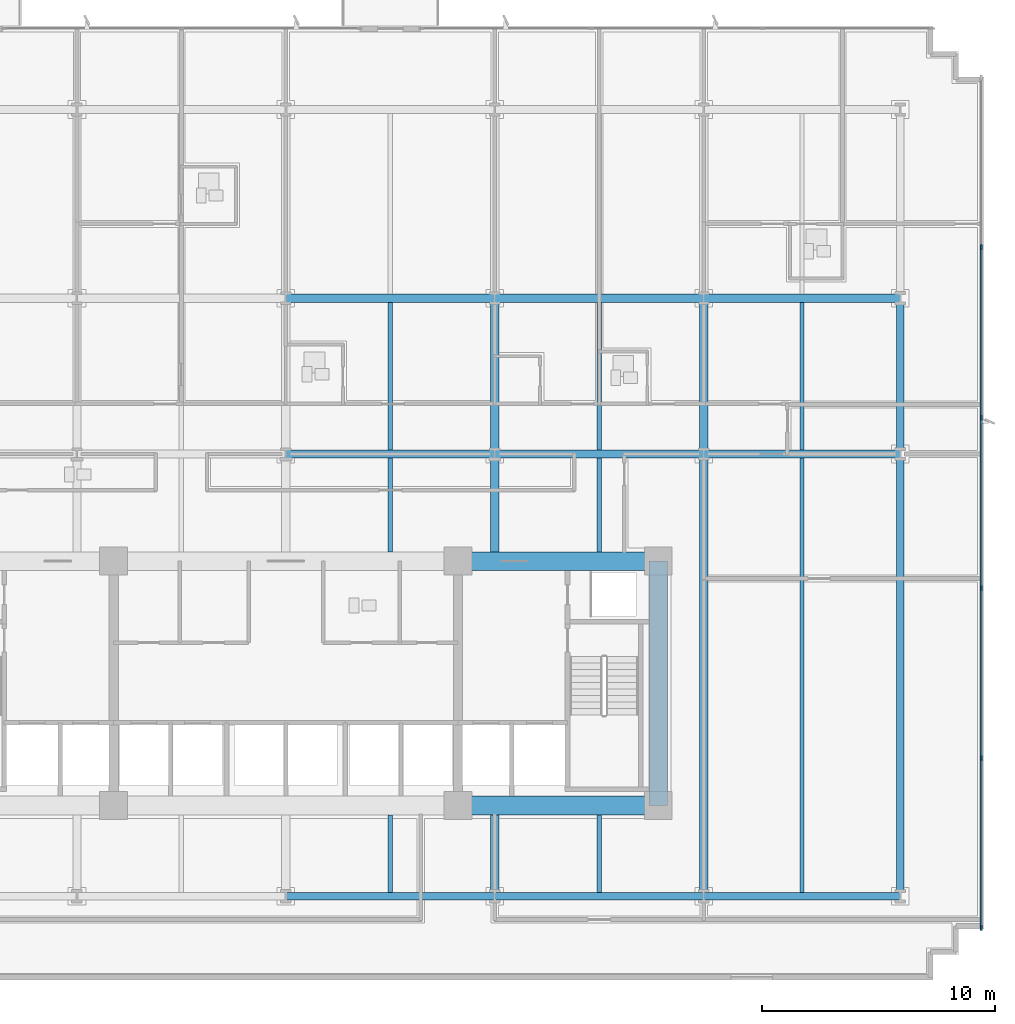
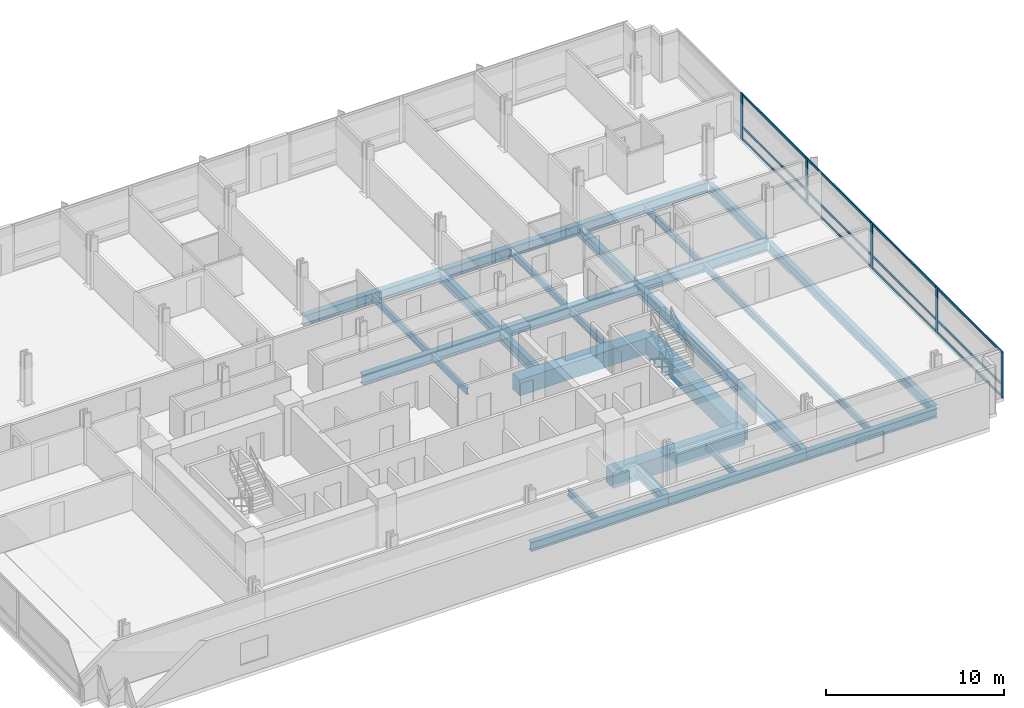
# One storey, part 4 of 17: 27 beams, 17 members, 1 element without a shape of its own.
"""IFC4 building model written with IfcOpenShell, lengths in metres."""

import ifcopenshell
import ifcopenshell.guid

model = None  # the IFC model being written
_history = None  # IfcOwnerHistory: only IFC2X3 demands one
_inside = {}  # id of a spatial element -> (the spatial element, [elements in it])
_under = {}  # id of a project, library or spatial element -> (it, [spatial elements below it])
_declared = {}  # id of a project -> (the project, [libraries it declares])
_typed = {}  # id of a type object -> (the type object, [elements of that type])
_made_of = {}  # id of a material, layer set ... -> (it, [elements and type objects made of it])


def new_model(schema):
    """Start an empty IFC model of exactly this schema.

    Asked for "IFC4X3", IfcOpenShell would pick the latest addendum, in which some entities
    have other attributes; the version numbers below select the first issue.
    IFC2X3 requires an IfcOwnerHistory on every rooted entity: one is made here for all.
    """
    global model, _history
    if schema == "IFC4X3":
        model = ifcopenshell.file(schema_version=(4, 3, 0, 0))
    else:
        model = ifcopenshell.file(schema=schema)
    _inside.clear()
    _under.clear()
    _declared.clear()
    _typed.clear()
    _made_of.clear()
    _history = None
    if model.schema == "IFC2X3":
        org = make("IfcOrganization", Name="unknown")
        user = make(
            "IfcPersonAndOrganization",
            ThePerson=make("IfcPerson", FamilyName="unknown"),
            TheOrganization=org,
        )
        app = make(
            "IfcApplication",
            ApplicationDeveloper=org,
            Version="unknown",
            ApplicationFullName="unknown",
            ApplicationIdentifier="unknown",
        )
        _history = make(
            "IfcOwnerHistory",
            OwningUser=user,
            OwningApplication=app,
            ChangeAction="ADDED",
            CreationDate=0,
        )
    return model


def make(cls, **values):
    """One entity of the class cls with the attributes given. An attribute that is None is left unset."""
    return model.create_entity(
        cls, **{name: value for name, value in values.items() if value is not None}
    )


def rooted(cls, **values):
    """An entity with a GlobalId (a new one), such as an element, a storey or a relation."""
    return make(cls, GlobalId=ifcopenshell.guid.new(), OwnerHistory=_history, **values)


def si_unit(unit_type, name, prefix=None):
    """IfcSIUnit, for example si_unit("LENGTHUNIT", "METRE", prefix="MILLI")."""
    return make("IfcSIUnit", UnitType=unit_type, Prefix=prefix, Name=name)


def assignment(units):
    """IfcUnitAssignment: the units of a project."""
    return None if units is None else make("IfcUnitAssignment", Units=units)


def point(xyz):
    """IfcCartesianPoint."""
    return None if xyz is None else make("IfcCartesianPoint", Coordinates=xyz)


def direction(xyz):
    """IfcDirection."""
    return None if xyz is None else make("IfcDirection", DirectionRatios=xyz)


def frame(location, z_axis=None, x_axis=None):
    """IfcAxis2Placement3D, a coordinate frame: its origin and axes. An axis left out is left unset."""
    return make(
        "IfcAxis2Placement3D",
        Location=point(location),
        Axis=direction(z_axis),
        RefDirection=direction(x_axis),
    )


def frame_2d(location, x_axis=None):
    """IfcAxis2Placement2D, a coordinate frame in the plane: its origin and x axis."""
    return make(
        "IfcAxis2Placement2D", Location=point(location), RefDirection=direction(x_axis)
    )


def origin():
    """The frame at (0, 0, 0) with its axes left unset."""
    return frame((0.0, 0.0, 0.0))


def origin_2d():
    """The frame at (0, 0) in the plane with its x axis left unset."""
    return frame_2d((0.0, 0.0))


def place(relative_to, where):
    """IfcLocalPlacement: puts the frame where relative to a parent placement (None: the world)."""
    return make(
        "IfcLocalPlacement", PlacementRelTo=relative_to, RelativePlacement=where
    )


def context(
    kind, dimensions, precision=None, world=None, true_north=None, identifier=None
):
    """IfcGeometricRepresentationContext, for example the 3D "Model" context."""
    return make(
        "IfcGeometricRepresentationContext",
        ContextIdentifier=identifier,
        ContextType=kind,
        CoordinateSpaceDimension=dimensions,
        Precision=precision,
        WorldCoordinateSystem=world,
        TrueNorth=true_north,
    )


def subcontext(parent, identifier, kind, view, scale=None):
    """IfcGeometricRepresentationSubContext, for example "Body" below "Model"."""
    return make(
        "IfcGeometricRepresentationSubContext",
        ContextIdentifier=identifier,
        ContextType=kind,
        ParentContext=parent,
        TargetScale=scale,
        TargetView=view,
    )


def project(units=None, contexts=None):
    """IfcProject with its units and contexts."""
    return rooted(
        "IfcProject",
        Name="project",
        RepresentationContexts=contexts,
        UnitsInContext=assignment(units),
    )


def spatial(cls, under=None, at=None, **own):
    """A site, building, storey or space (cls), placed at a placement, below another one or the project."""
    s = rooted(cls, ObjectPlacement=at, **own)
    if under is not None:
        _under.setdefault(under.id(), (under, []))[1].append(s)
    return s


def profile(cls, at=None, kind="AREA", **sizes):
    """A parametric profile (cls). Its sizes go by their IFC names, for example OverallWidth=200.0."""
    return make(cls, ProfileType=kind, Position=at, **sizes)


def rectangle(**sizes):
    """IfcRectangleProfileDef."""
    return profile("IfcRectangleProfileDef", **sizes)


def i_section(**sizes):
    """IfcIShapeProfileDef."""
    return profile("IfcIShapeProfileDef", **sizes)


def extrude(swept, where, along, depth):
    """IfcExtrudedAreaSolid: the profile swept, set in the frame where, extruded along a direction by depth."""
    return make(
        "IfcExtrudedAreaSolid",
        SweptArea=swept,
        Position=where,
        ExtrudedDirection=direction(along),
        Depth=depth,
    )


def shape(context_of_items, identifier, shape_type, items):
    """IfcShapeRepresentation: the items that make up one representation, for example the "Body"."""
    return make(
        "IfcShapeRepresentation",
        ContextOfItems=context_of_items,
        RepresentationIdentifier=identifier,
        RepresentationType=shape_type,
        Items=items,
    )


def material(Name=None, Category=None):
    """IfcMaterial."""
    return make("IfcMaterial", Name=Name, Category=Category)


def material_profile(
    of_material, cross_section, Name=None, Category=None, Priority=None
):
    """IfcMaterialProfile: a cross section and its material."""
    return make(
        "IfcMaterialProfile",
        Name=Name,
        Material=of_material,
        Profile=cross_section,
        Priority=Priority,
        Category=Category,
    )


def profile_set(profiles, Name=None, composite=None):
    """IfcMaterialProfileSet."""
    return make(
        "IfcMaterialProfileSet",
        Name=Name,
        MaterialProfiles=profiles,
        CompositeProfile=composite,
    )


def made_of(thing, what):
    """Note that an element or type object is made of a material, layer set ...; save() writes the relation."""
    if what is not None:
        _made_of.setdefault(what.id(), (what, []))[1].append(thing)
    return thing


def type_object(cls, material=None, **own):
    """A type object (cls), such as IfcWallType, which elements share."""
    return made_of(rooted(cls, **own), material)


def element(
    cls,
    number,
    at=None,
    inside=None,
    cuts=None,
    type_object=None,
    material=None,
    context=None,
    identifier="Body",
    shape_type=None,
    held_by="IfcProductDefinitionShape",
    body=None,
    shapes=None,
    **own,
):
    """One element of the class cls, such as IfcWall. Its Tag is "e" and its number.

    at: its placement. inside: the storey or other place that contains it. cuts: it is an
    opening in that element (IfcRelVoidsElement). A single representation is given by context,
    identifier, shape_type and body (its items); several are given by shapes. held_by: the class
    of the entity that holds the representations. save() writes the other relations.
    """
    e = rooted(cls, Tag="e%d" % number, ObjectPlacement=at, **own)
    if body is not None:
        shapes = [shape(context, identifier, shape_type, body)]
    if shapes is not None:
        e.Representation = make(held_by, Representations=shapes)
    if inside is not None:
        _inside.setdefault(inside.id(), (inside, []))[1].append(e)
    if cuts is not None:
        rooted(
            "IfcRelVoidsElement", RelatingBuildingElement=cuts, RelatedOpeningElement=e
        )
    if type_object is not None:
        _typed.setdefault(type_object.id(), (type_object, []))[1].append(e)
    return made_of(e, material)


def aggregate(whole, parts):
    """IfcRelAggregates: a whole, such as a stair, and the parts it consists of."""
    return rooted("IfcRelAggregates", RelatingObject=whole, RelatedObjects=parts)


def save(model, path):
    """Write the relations noted so far, then the file.

    IfcRelAggregates (storeys below a building ...), IfcRelContainedInSpatialStructure (elements
    in a storey), IfcRelDefinesByType, IfcRelAssociatesMaterial and IfcRelDeclares: one each for
    every whole, place, type object, material and project.
    """
    for whole, parts in _under.values():
        aggregate(whole, parts)
    for where, things in _inside.values():
        rooted(
            "IfcRelContainedInSpatialStructure",
            RelatedElements=things,
            RelatingStructure=where,
        )
    for kind, things in _typed.values():
        rooted("IfcRelDefinesByType", RelatedObjects=things, RelatingType=kind)
    for what, things in _made_of.values():
        rooted("IfcRelAssociatesMaterial", RelatedObjects=things, RelatingMaterial=what)
    for by, libraries in _declared.values():
        rooted("IfcRelDeclares", RelatingContext=by, RelatedDefinitions=libraries)
    model.write(path)


model = new_model("IFC4")

# Units and contexts
model_context = context("Model", 3, precision=1e-05, world=origin(), true_north=direction((0.0, 1.0)))
body_context = subcontext(model_context, "Body", "Model", "MODEL_VIEW")
ifc_project = project(units=[si_unit("LENGTHUNIT", "METRE"), si_unit("AREAUNIT", "SQUARE_METRE"), si_unit("VOLUMEUNIT", "CUBIC_METRE"), si_unit("PLANEANGLEUNIT", "RADIAN"), si_unit("MASSUNIT", "GRAM", prefix="KILO")], contexts=[model_context])

# Site, building, storey
site_placement = place(None, origin())
site = spatial("IfcSite", under=ifc_project, at=site_placement, CompositionType="ELEMENT")
building_placement = place(site_placement, origin())
building = spatial("IfcBuilding", under=site, at=building_placement, Name="Solmavex Isthmus Hotel", CompositionType="ELEMENT")
storey_placement = place(building_placement, frame((0.0, 0.0, 40.199951171875)))
storey = spatial("IfcBuildingStorey", under=building, at=storey_placement, Name="L10", CompositionType="ELEMENT", Elevation=40.199951171875)

# Beams
ifc_material_1 = material(Name="Steel ASTM A992 Grade 50", Category="steel")
ifc_material_profile_1 = material_profile(ifc_material_1, i_section(OverallWidth=0.354736328125, OverallDepth=0.695556640625, WebThickness=0.015380859375, FlangeThickness=0.02490234375, FilletRadius=0.017822265625, at=origin_2d()), Name="W27X146")
ifc_profile_set_1 = profile_set([ifc_material_profile_1], Name="Steel ASTM A992 Grade 50")
beam_type_1 = type_object("IfcBeamType", Name="BM-BG-W27X146", PredefinedType="BEAM", material=ifc_profile_set_1)
beam_1_placement = place(storey_placement, frame((0.0, 2.10009765625, -0.607666015625), z_axis=(1.0, 0.0, 0.0), x_axis=(0.0, 1.0, 0.0)))
element("IfcBeam", 1, at=beam_1_placement, inside=storey, type_object=beam_type_1, Name="Floor Girder L10-UG10", PredefinedType="BEAM", context=body_context, shape_type="SweptSolid", body=[
    extrude(i_section(OverallWidth=0.354736328125, OverallDepth=0.695556640625, WebThickness=0.015380859375, FlangeThickness=0.02490234375, FilletRadius=0.017822265625, at=origin_2d()), origin(), (0.0, 0.0, 1.0), 8.97607421875),
])
beam_2_placement = place(storey_placement, frame((8.97607421875, 2.10009765625, -0.607666015625), z_axis=(1.0, 0.0, 0.0), x_axis=(0.0, 1.0, 0.0)))
element("IfcBeam", 2, at=beam_2_placement, inside=storey, type_object=beam_type_1, Name="Floor Girder L10-UG11", PredefinedType="BEAM", context=body_context, shape_type="SweptSolid", body=[
    extrude(i_section(OverallWidth=0.354736328125, OverallDepth=0.695556640625, WebThickness=0.015380859375, FlangeThickness=0.02490234375, FilletRadius=0.017822265625, at=origin_2d()), origin(), (0.0, 0.0, 1.0), 8.975830078125),
])
beam_3_placement = place(storey_placement, frame((17.951904296875, 2.10009765625, -0.607666015625), z_axis=(1.0, 0.0, 0.0), x_axis=(0.0, 1.0, 0.0)))
element("IfcBeam", 3, at=beam_3_placement, inside=storey, type_object=beam_type_1, Name="Floor Girder L10-UG12", PredefinedType="BEAM", context=body_context, shape_type="SweptSolid", body=[
    extrude(i_section(OverallWidth=0.354736328125, OverallDepth=0.695556640625, WebThickness=0.015380859375, FlangeThickness=0.02490234375, FilletRadius=0.017822265625, at=origin_2d()), origin(), (0.0, 0.0, 1.0), 8.447998046875),
])
beam_4_placement = place(storey_placement, frame((0.0, 8.7880859375, -0.607666015625), z_axis=(1.0, 0.0, 0.0), x_axis=(0.0, 1.0, 0.0)))
element("IfcBeam", 4, at=beam_4_placement, inside=storey, type_object=beam_type_1, Name="Floor Girder L10-UG16", PredefinedType="BEAM", context=body_context, shape_type="SweptSolid", body=[
    extrude(i_section(OverallWidth=0.354736328125, OverallDepth=0.695556640625, WebThickness=0.015380859375, FlangeThickness=0.02490234375, FilletRadius=0.017822265625, at=origin_2d()), origin(), (0.0, 0.0, 1.0), 8.97607421875),
])
beam_5_placement = place(storey_placement, frame((8.97607421875, 8.7880859375, -0.607666015625), z_axis=(1.0, 0.0, 0.0), x_axis=(0.0, 1.0, 0.0)))
element("IfcBeam", 5, at=beam_5_placement, inside=storey, type_object=beam_type_1, Name="Floor Girder L10-UG17", PredefinedType="BEAM", context=body_context, shape_type="SweptSolid", body=[
    extrude(i_section(OverallWidth=0.354736328125, OverallDepth=0.695556640625, WebThickness=0.015380859375, FlangeThickness=0.02490234375, FilletRadius=0.017822265625, at=origin_2d()), origin(), (0.0, 0.0, 1.0), 8.975830078125),
])
beam_6_placement = place(storey_placement, frame((17.951904296875, 8.7880859375, -0.607666015625), z_axis=(1.0, 0.0, 0.0), x_axis=(0.0, 1.0, 0.0)))
element("IfcBeam", 6, at=beam_6_placement, inside=storey, type_object=beam_type_1, Name="Floor Girder L10-UG18", PredefinedType="BEAM", context=body_context, shape_type="SweptSolid", body=[
    extrude(i_section(OverallWidth=0.354736328125, OverallDepth=0.695556640625, WebThickness=0.015380859375, FlangeThickness=0.02490234375, FilletRadius=0.017822265625, at=origin_2d()), origin(), (0.0, 0.0, 1.0), 8.447998046875),
])
beam_7_placement = place(storey_placement, frame((8.97607421875, -16.73681640625, -0.607666015625), z_axis=(0.0, 1.0, 0.0), x_axis=(-1.0, 0.0, 0.0)))
element("IfcBeam", 7, at=beam_7_placement, inside=storey, type_object=beam_type_1, Name="Floor Beam L10-VG39", PredefinedType="BEAM", context=body_context, shape_type="SweptSolid", body=[
    extrude(i_section(OverallWidth=0.354736328125, OverallDepth=0.695556640625, WebThickness=0.015380859375, FlangeThickness=0.02490234375, FilletRadius=0.017822265625, at=origin_2d()), origin(), (0.0, 0.0, 1.0), 3.3369140625),
])
beam_8_placement = place(storey_placement, frame((8.97607421875, -2.10009765625, -0.607666015625), z_axis=(0.0, 1.0, 0.0), x_axis=(-1.0, 0.0, 0.0)))
element("IfcBeam", 8, at=beam_8_placement, inside=storey, type_object=beam_type_1, Name="Floor Beam L10-VG40", PredefinedType="BEAM", context=body_context, shape_type="SweptSolid", body=[
    extrude(i_section(OverallWidth=0.354736328125, OverallDepth=0.695556640625, WebThickness=0.015380859375, FlangeThickness=0.02490234375, FilletRadius=0.017822265625, at=origin_2d()), origin(), (0.0, 0.0, 1.0), 4.022705078125),
])
beam_9_placement = place(storey_placement, frame((8.97607421875, 2.27734375, -0.607666015625), z_axis=(0.0, 1.0, 0.0), x_axis=(-1.0, 0.0, 0.0)))
element("IfcBeam", 9, at=beam_9_placement, inside=storey, type_object=beam_type_1, Name="Floor Beam L10-VG41", PredefinedType="BEAM", context=body_context, shape_type="SweptSolid", body=[
    extrude(i_section(OverallWidth=0.354736328125, OverallDepth=0.695556640625, WebThickness=0.015380859375, FlangeThickness=0.02490234375, FilletRadius=0.017822265625, at=origin_2d()), origin(), (0.0, 0.0, 1.0), 6.333251953125),
])
beam_10_placement = place(storey_placement, frame((17.951904296875, -16.73681640625, -0.607666015625), z_axis=(0.0, 1.0, 0.0), x_axis=(-1.0, 0.0, 0.0)))
element("IfcBeam", 10, at=beam_10_placement, inside=storey, type_object=beam_type_1, Name="Floor Beam L10-VG43", PredefinedType="BEAM", context=body_context, shape_type="SweptSolid", body=[
    extrude(i_section(OverallWidth=0.354736328125, OverallDepth=0.695556640625, WebThickness=0.015380859375, FlangeThickness=0.02490234375, FilletRadius=0.017822265625, at=origin_2d()), origin(), (0.0, 0.0, 1.0), 18.659423828125),
])
beam_11_placement = place(storey_placement, frame((17.951904296875, 2.27734375, -0.607666015625), z_axis=(0.0, 1.0, 0.0), x_axis=(-1.0, 0.0, 0.0)))
element("IfcBeam", 11, at=beam_11_placement, inside=storey, type_object=beam_type_1, Name="Floor Beam L10-VG44", PredefinedType="BEAM", context=body_context, shape_type="SweptSolid", body=[
    extrude(i_section(OverallWidth=0.354736328125, OverallDepth=0.695556640625, WebThickness=0.015380859375, FlangeThickness=0.02490234375, FilletRadius=0.017822265625, at=origin_2d()), origin(), (0.0, 0.0, 1.0), 6.333251953125),
])
ifc_material_profile_2 = material_profile(ifc_material_1, i_section(OverallWidth=0.1904296875, OverallDepth=0.456787109375, WebThickness=0.009033203125, FlangeThickness=0.014404296875, FilletRadius=0.0126953125, at=origin_2d()), Name="W18X50")
ifc_profile_set_2 = profile_set([ifc_material_profile_2], Name="Steel ASTM A992 Grade 50")
beam_type_2 = type_object("IfcBeamType", Name="BM-BJ-W18X50", PredefinedType="JOIST", material=ifc_profile_set_2)
beam_12_placement = place(storey_placement, frame((4.488037109375, -16.73681640625, -0.48828125), z_axis=(0.0, 1.0, 0.0), x_axis=(-1.0, 0.0, 0.0)))
element("IfcBeam", 12, at=beam_12_placement, inside=storey, type_object=beam_type_2, Name="Secondary Floor Joist L10-J12", PredefinedType="JOIST", context=body_context, shape_type="SweptSolid", body=[
    extrude(i_section(OverallWidth=0.1904296875, OverallDepth=0.456787109375, WebThickness=0.009033203125, FlangeThickness=0.014404296875, FilletRadius=0.0126953125, at=origin_2d()), origin(), (0.0, 0.0, 1.0), 3.3369140625),
])
beam_13_placement = place(storey_placement, frame((4.488037109375, -2.10009765625, -0.48828125), z_axis=(0.0, 1.0, 0.0), x_axis=(-1.0, 0.0, 0.0)))
element("IfcBeam", 13, at=beam_13_placement, inside=storey, type_object=beam_type_2, Name="Secondary Floor Joist L10-J13", PredefinedType="JOIST", context=body_context, shape_type="SweptSolid", body=[
    extrude(i_section(OverallWidth=0.1904296875, OverallDepth=0.456787109375, WebThickness=0.009033203125, FlangeThickness=0.014404296875, FilletRadius=0.0126953125, at=origin_2d()), origin(), (0.0, 0.0, 1.0), 4.022705078125),
])
beam_14_placement = place(storey_placement, frame((4.488037109375, 2.27734375, -0.48828125), z_axis=(0.0, 1.0, 0.0), x_axis=(-1.0, 0.0, 0.0)))
element("IfcBeam", 14, at=beam_14_placement, inside=storey, type_object=beam_type_2, Name="Secondary Floor Joist L10-J14", PredefinedType="JOIST", context=body_context, shape_type="SweptSolid", body=[
    extrude(i_section(OverallWidth=0.1904296875, OverallDepth=0.456787109375, WebThickness=0.009033203125, FlangeThickness=0.014404296875, FilletRadius=0.0126953125, at=origin_2d()), origin(), (0.0, 0.0, 1.0), 6.333251953125),
])
beam_15_placement = place(storey_placement, frame((13.464111328125, -16.73681640625, -0.48828125), z_axis=(0.0, 1.0, 0.0), x_axis=(-1.0, 0.0, 0.0)))
element("IfcBeam", 15, at=beam_15_placement, inside=storey, type_object=beam_type_2, Name="Secondary Floor Joist L10-J16", PredefinedType="JOIST", context=body_context, shape_type="SweptSolid", body=[
    extrude(i_section(OverallWidth=0.1904296875, OverallDepth=0.456787109375, WebThickness=0.009033203125, FlangeThickness=0.014404296875, FilletRadius=0.0126953125, at=origin_2d()), origin(), (0.0, 0.0, 1.0), 3.3369140625),
])
beam_16_placement = place(storey_placement, frame((13.464111328125, -2.10009765625, -0.48828125), z_axis=(0.0, 1.0, 0.0), x_axis=(-1.0, 0.0, 0.0)))
element("IfcBeam", 16, at=beam_16_placement, inside=storey, type_object=beam_type_2, Name="Secondary Floor Joist L10-J17", PredefinedType="JOIST", context=body_context, shape_type="SweptSolid", body=[
    extrude(i_section(OverallWidth=0.1904296875, OverallDepth=0.456787109375, WebThickness=0.009033203125, FlangeThickness=0.014404296875, FilletRadius=0.0126953125, at=origin_2d()), origin(), (0.0, 0.0, 1.0), 4.022705078125),
])
beam_17_placement = place(storey_placement, frame((13.464111328125, 2.27734375, -0.48828125), z_axis=(0.0, 1.0, 0.0), x_axis=(-1.0, 0.0, 0.0)))
element("IfcBeam", 17, at=beam_17_placement, inside=storey, type_object=beam_type_2, Name="Secondary Floor Joist L10-J18", PredefinedType="JOIST", context=body_context, shape_type="SweptSolid", body=[
    extrude(i_section(OverallWidth=0.1904296875, OverallDepth=0.456787109375, WebThickness=0.009033203125, FlangeThickness=0.014404296875, FilletRadius=0.0126953125, at=origin_2d()), origin(), (0.0, 0.0, 1.0), 6.333251953125),
])
beam_18_placement = place(storey_placement, frame((22.176025390625, -16.73681640625, -0.48828125), z_axis=(0.0, 1.0, 0.0), x_axis=(-1.0, 0.0, 0.0)))
element("IfcBeam", 18, at=beam_18_placement, inside=storey, type_object=beam_type_2, Name="Secondary Floor Joist L10-J20", PredefinedType="JOIST", context=body_context, shape_type="SweptSolid", body=[
    extrude(i_section(OverallWidth=0.1904296875, OverallDepth=0.456787109375, WebThickness=0.009033203125, FlangeThickness=0.014404296875, FilletRadius=0.0126953125, at=origin_2d()), origin(), (0.0, 0.0, 1.0), 18.659423828125),
])
beam_19_placement = place(storey_placement, frame((22.176025390625, 2.27734375, -0.48828125), z_axis=(0.0, 1.0, 0.0), x_axis=(-1.0, 0.0, 0.0)))
element("IfcBeam", 19, at=beam_19_placement, inside=storey, type_object=beam_type_2, Name="Secondary Floor Joist L10-J21", PredefinedType="JOIST", context=body_context, shape_type="SweptSolid", body=[
    extrude(i_section(OverallWidth=0.1904296875, OverallDepth=0.456787109375, WebThickness=0.009033203125, FlangeThickness=0.014404296875, FilletRadius=0.0126953125, at=origin_2d()), origin(), (0.0, 0.0, 1.0), 6.333251953125),
])
ifc_material_2 = material(Name="Concrete C70/85", Category="concrete")
ifc_material_profile_3 = material_profile(ifc_material_2, rectangle(XDim=0.800048828125, YDim=1.10009765625, at=origin_2d()), Name="RC800X1100")
ifc_profile_set_3 = profile_set([ifc_material_profile_3], Name="Concrete C70/85")
beam_type_3 = type_object("IfcBeamType", Name="BM-CB-800X1100", PredefinedType="BEAM", material=ifc_profile_set_3)
for number, where, z_axis, x_axis, name in (
    (20, (7.39990234375, -13.0, -0.81005859375), (1.0, 0.0, 0.0), (0.0, 1.0, 0.0), "Core Coupling Beam L10-CB3"),
    (21, (7.39990234375, -2.5, -0.81005859375), (1.0, 0.0, 0.0), (0.0, 1.0, 0.0), "Core Coupling Beam L10-CB6"),
):
    element("IfcBeam", number, at=place(storey_placement, frame(where, z_axis=z_axis, x_axis=x_axis)), inside=storey, type_object=beam_type_3, Name=name, PredefinedType="BEAM", context=body_context, shape_type="SweptSolid", body=[
        extrude(rectangle(XDim=0.800048828125, YDim=1.10009765625, at=origin_2d()), origin(), (0.0, 0.0, 1.0), 8.60009765625),
    ])
beam_20_placement = place(storey_placement, frame((16.0, -13.0, -0.81005859375), z_axis=(0.0, 1.0, 0.0), x_axis=(-1.0, 0.0, 0.0)))
element("IfcBeam", 22, at=beam_20_placement, inside=storey, type_object=beam_type_3, Name="Core Coupling Beam L10-CB8", PredefinedType="BEAM", context=body_context, shape_type="SweptSolid", body=[
    extrude(rectangle(XDim=0.800048828125, YDim=1.10009765625, at=origin_2d()), origin(), (0.0, 0.0, 1.0), 10.5),
])
ifc_material_profile_4 = material_profile(ifc_material_1, i_section(OverallWidth=0.326416015625, OverallDepth=0.621826171875, WebThickness=0.015380859375, FlangeThickness=0.0244140625, FilletRadius=0.01513671875, at=origin_2d()), Name="W24X131")
ifc_profile_set_4 = profile_set([ifc_material_profile_4], Name="Steel ASTM A992 Grade 50")
beam_type_4 = type_object("IfcBeamType", Name="BM-SP-W24X131", PredefinedType="SPANDREL", material=ifc_profile_set_4)
beam_21_placement = place(storey_placement, frame((0.0, -16.89990234375, -0.57080078125), z_axis=(1.0, 0.0, 0.0), x_axis=(0.0, 1.0, 0.0)))
element("IfcBeam", 23, at=beam_21_placement, inside=storey, type_object=beam_type_4, Name="Floor Girder L10-UG04", PredefinedType="SPANDREL", context=body_context, shape_type="SweptSolid", body=[
    extrude(i_section(OverallWidth=0.326416015625, OverallDepth=0.621826171875, WebThickness=0.015380859375, FlangeThickness=0.0244140625, FilletRadius=0.01513671875, at=origin_2d()), origin(), (0.0, 0.0, 1.0), 8.97607421875),
])
beam_22_placement = place(storey_placement, frame((8.97607421875, -16.89990234375, -0.57080078125), z_axis=(1.0, 0.0, 0.0), x_axis=(0.0, 1.0, 0.0)))
element("IfcBeam", 24, at=beam_22_placement, inside=storey, type_object=beam_type_4, Name="Floor Girder L10-UG05", PredefinedType="SPANDREL", context=body_context, shape_type="SweptSolid", body=[
    extrude(i_section(OverallWidth=0.326416015625, OverallDepth=0.621826171875, WebThickness=0.015380859375, FlangeThickness=0.0244140625, FilletRadius=0.01513671875, at=origin_2d()), origin(), (0.0, 0.0, 1.0), 8.975830078125),
])
beam_23_placement = place(storey_placement, frame((17.951904296875, -16.89990234375, -0.57080078125), z_axis=(1.0, 0.0, 0.0), x_axis=(0.0, 1.0, 0.0)))
element("IfcBeam", 25, at=beam_23_placement, inside=storey, type_object=beam_type_4, Name="Floor Girder L10-UG06", PredefinedType="SPANDREL", context=body_context, shape_type="SweptSolid", body=[
    extrude(i_section(OverallWidth=0.326416015625, OverallDepth=0.621826171875, WebThickness=0.015380859375, FlangeThickness=0.0244140625, FilletRadius=0.01513671875, at=origin_2d()), origin(), (0.0, 0.0, 1.0), 8.447998046875),
])
beam_24_placement = place(storey_placement, frame((26.39990234375, -16.73681640625, -0.57080078125), z_axis=(0.0, 1.0, 0.0), x_axis=(-1.0, 0.0, 0.0)))
element("IfcBeam", 26, at=beam_24_placement, inside=storey, type_object=beam_type_4, Name="Floor Beam L10-VG46", PredefinedType="SPANDREL", context=body_context, shape_type="SweptSolid", body=[
    extrude(i_section(OverallWidth=0.326416015625, OverallDepth=0.621826171875, WebThickness=0.015380859375, FlangeThickness=0.0244140625, FilletRadius=0.01513671875, at=origin_2d()), origin(), (0.0, 0.0, 1.0), 18.659423828125),
])
beam_25_placement = place(storey_placement, frame((26.39990234375, 2.27734375, -0.57080078125), z_axis=(0.0, 1.0, 0.0), x_axis=(-1.0, 0.0, 0.0)))
element("IfcBeam", 27, at=beam_25_placement, inside=storey, type_object=beam_type_4, Name="Floor Beam L10-VG47", PredefinedType="SPANDREL", context=body_context, shape_type="SweptSolid", body=[
    extrude(i_section(OverallWidth=0.326416015625, OverallDepth=0.621826171875, WebThickness=0.015380859375, FlangeThickness=0.0244140625, FilletRadius=0.01513671875, at=origin_2d()), origin(), (0.0, 0.0, 1.0), 6.333251953125),
])

# Curtain wall, members
ifc_material_3 = material(Name="Aluminium alloy 6063-T6", Category="aluminium")
curtain_wall_type = type_object("IfcCurtainWallType", Name="CW-SYS-02", PredefinedType="NOTDEFINED", material=ifc_material_3)
curtain_wall_placement = place(storey_placement, origin())
curtain_wall = element("IfcCurtainWall", 28, at=curtain_wall_placement, inside=storey, type_object=curtain_wall_type, Name="Stick Curtain Wall CWL-L10-E1", PredefinedType="NOTDEFINED")
ifc_material_profile_5 = material_profile(ifc_material_3, rectangle(XDim=0.074951171875, YDim=0.219970703125, at=origin_2d()), Name="CWM-75X220")
ifc_profile_set_5 = profile_set([ifc_material_profile_5], Name="Aluminium alloy 6063-T6")
member_type_1 = type_object("IfcMemberType", Name="CW-SYS-02-MUL", PredefinedType="MULLION", material=ifc_profile_set_5)
member_1_placement = place(storey_placement, frame((29.8798828125, -18.262451171875, 0.0), z_axis=(0.0, 0.0, 1.0), x_axis=(-1.0, 0.0, 0.0)))
member_1 = element("IfcMember", 29, at=member_1_placement, type_object=member_type_1, Name="CW-02 mullion 1", PredefinedType="MULLION", context=body_context, shape_type="SweptSolid", body=[
    extrude(rectangle(XDim=0.074951171875, YDim=0.219970703125, at=origin_2d()), origin(), (0.0, 0.0, 1.0), 3.18994140625),
])
member_2_placement = place(storey_placement, frame((29.8798828125, -10.97998046875, 0.0), z_axis=(0.0, 0.0, 1.0), x_axis=(-1.0, 0.0, 0.0)))
member_2 = element("IfcMember", 30, at=member_2_placement, type_object=member_type_1, Name="CW-02 mullion 2", PredefinedType="MULLION", context=body_context, shape_type="SweptSolid", body=[
    extrude(rectangle(XDim=0.074951171875, YDim=0.219970703125, at=origin_2d()), origin(), (0.0, 0.0, 1.0), 3.18994140625),
])
member_3_placement = place(storey_placement, frame((29.8798828125, -3.659912109375, 0.0), z_axis=(0.0, 0.0, 1.0), x_axis=(-1.0, 0.0, 0.0)))
member_3 = element("IfcMember", 31, at=member_3_placement, type_object=member_type_1, Name="CW-02 mullion 3", PredefinedType="MULLION", context=body_context, shape_type="SweptSolid", body=[
    extrude(rectangle(XDim=0.074951171875, YDim=0.219970703125, at=origin_2d()), origin(), (0.0, 0.0, 1.0), 3.18994140625),
])
member_4_placement = place(storey_placement, frame((29.8798828125, 3.659912109375, 0.0), z_axis=(0.0, 0.0, 1.0), x_axis=(-1.0, 0.0, 0.0)))
member_4 = element("IfcMember", 32, at=member_4_placement, type_object=member_type_1, Name="CW-02 mullion 4", PredefinedType="MULLION", context=body_context, shape_type="SweptSolid", body=[
    extrude(rectangle(XDim=0.074951171875, YDim=0.219970703125, at=origin_2d()), origin(), (0.0, 0.0, 1.0), 3.18994140625),
])
member_5_placement = place(storey_placement, frame((29.8798828125, 10.97998046875, 0.0), z_axis=(0.0, 0.0, 1.0), x_axis=(-1.0, 0.0, 0.0)))
member_5 = element("IfcMember", 33, at=member_5_placement, type_object=member_type_1, Name="CW-02 mullion 5", PredefinedType="MULLION", context=body_context, shape_type="SweptSolid", body=[
    extrude(rectangle(XDim=0.074951171875, YDim=0.219970703125, at=origin_2d()), origin(), (0.0, 0.0, 1.0), 3.18994140625),
])
ifc_material_profile_6 = material_profile(ifc_material_3, rectangle(XDim=0.074951171875, YDim=0.159912109375, at=origin_2d()), Name="CWT-75X160")
ifc_profile_set_6 = profile_set([ifc_material_profile_6], Name="Aluminium alloy 6063-T6")
member_type_2 = type_object("IfcMemberType", Name="CW-SYS-02-TRN", PredefinedType="USERDEFINED", material=ifc_profile_set_6)
member_6_placement = place(storey_placement, frame((29.8798828125, -18.22509765625, 0.080078125), z_axis=(0.0, 1.0, 0.0), x_axis=(-1.0, 0.0, 0.0)))
member_6 = element("IfcMember", 34, at=member_6_placement, type_object=member_type_2, Name="CW-02 transom 1.1", ObjectType="TRANSOM", PredefinedType="USERDEFINED", context=body_context, shape_type="SweptSolid", body=[
    extrude(rectangle(XDim=0.074951171875, YDim=0.159912109375, at=origin_2d()), origin(), (0.0, 0.0, 1.0), 7.20751953125),
])
member_7_placement = place(storey_placement, frame((29.8798828125, -18.22509765625, 0.900146484375), z_axis=(0.0, 1.0, 0.0), x_axis=(-1.0, 0.0, 0.0)))
member_7 = element("IfcMember", 35, at=member_7_placement, type_object=member_type_2, Name="CW-02 transom 1.2", ObjectType="TRANSOM", PredefinedType="USERDEFINED", context=body_context, shape_type="SweptSolid", body=[
    extrude(rectangle(XDim=0.074951171875, YDim=0.159912109375, at=origin_2d()), origin(), (0.0, 0.0, 1.0), 7.20751953125),
])
member_8_placement = place(storey_placement, frame((29.8798828125, -18.22509765625, 3.110107421875), z_axis=(0.0, 1.0, 0.0), x_axis=(-1.0, 0.0, 0.0)))
member_8 = element("IfcMember", 36, at=member_8_placement, type_object=member_type_2, Name="CW-02 transom 1.3", ObjectType="TRANSOM", PredefinedType="USERDEFINED", context=body_context, shape_type="SweptSolid", body=[
    extrude(rectangle(XDim=0.074951171875, YDim=0.159912109375, at=origin_2d()), origin(), (0.0, 0.0, 1.0), 7.20751953125),
])
member_9_placement = place(storey_placement, frame((29.8798828125, -10.9423828125, 0.080078125), z_axis=(0.0, 1.0, 0.0), x_axis=(-1.0, 0.0, 0.0)))
member_9 = element("IfcMember", 37, at=member_9_placement, type_object=member_type_2, Name="CW-02 transom 2.1", ObjectType="TRANSOM", PredefinedType="USERDEFINED", context=body_context, shape_type="SweptSolid", body=[
    extrude(rectangle(XDim=0.074951171875, YDim=0.159912109375, at=origin_2d()), origin(), (0.0, 0.0, 1.0), 7.244873046875),
])
member_10_placement = place(storey_placement, frame((29.8798828125, -10.9423828125, 0.900146484375), z_axis=(0.0, 1.0, 0.0), x_axis=(-1.0, 0.0, 0.0)))
member_10 = element("IfcMember", 38, at=member_10_placement, type_object=member_type_2, Name="CW-02 transom 2.2", ObjectType="TRANSOM", PredefinedType="USERDEFINED", context=body_context, shape_type="SweptSolid", body=[
    extrude(rectangle(XDim=0.074951171875, YDim=0.159912109375, at=origin_2d()), origin(), (0.0, 0.0, 1.0), 7.244873046875),
])
member_11_placement = place(storey_placement, frame((29.8798828125, -10.9423828125, 3.110107421875), z_axis=(0.0, 1.0, 0.0), x_axis=(-1.0, 0.0, 0.0)))
member_11 = element("IfcMember", 39, at=member_11_placement, type_object=member_type_2, Name="CW-02 transom 2.3", ObjectType="TRANSOM", PredefinedType="USERDEFINED", context=body_context, shape_type="SweptSolid", body=[
    extrude(rectangle(XDim=0.074951171875, YDim=0.159912109375, at=origin_2d()), origin(), (0.0, 0.0, 1.0), 7.244873046875),
])
member_12_placement = place(storey_placement, frame((29.8798828125, -3.62255859375, 0.080078125), z_axis=(0.0, 1.0, 0.0), x_axis=(-1.0, 0.0, 0.0)))
member_12 = element("IfcMember", 40, at=member_12_placement, type_object=member_type_2, Name="CW-02 transom 3.1", ObjectType="TRANSOM", PredefinedType="USERDEFINED", context=body_context, shape_type="SweptSolid", body=[
    extrude(rectangle(XDim=0.074951171875, YDim=0.159912109375, at=origin_2d()), origin(), (0.0, 0.0, 1.0), 7.2451171875),
])
member_13_placement = place(storey_placement, frame((29.8798828125, -3.62255859375, 0.900146484375), z_axis=(0.0, 1.0, 0.0), x_axis=(-1.0, 0.0, 0.0)))
member_13 = element("IfcMember", 41, at=member_13_placement, type_object=member_type_2, Name="CW-02 transom 3.2", ObjectType="TRANSOM", PredefinedType="USERDEFINED", context=body_context, shape_type="SweptSolid", body=[
    extrude(rectangle(XDim=0.074951171875, YDim=0.159912109375, at=origin_2d()), origin(), (0.0, 0.0, 1.0), 7.2451171875),
])
member_14_placement = place(storey_placement, frame((29.8798828125, -3.62255859375, 3.110107421875), z_axis=(0.0, 1.0, 0.0), x_axis=(-1.0, 0.0, 0.0)))
member_14 = element("IfcMember", 42, at=member_14_placement, type_object=member_type_2, Name="CW-02 transom 3.3", ObjectType="TRANSOM", PredefinedType="USERDEFINED", context=body_context, shape_type="SweptSolid", body=[
    extrude(rectangle(XDim=0.074951171875, YDim=0.159912109375, at=origin_2d()), origin(), (0.0, 0.0, 1.0), 7.2451171875),
])
member_15_placement = place(storey_placement, frame((29.8798828125, 3.697509765625, 0.080078125), z_axis=(0.0, 1.0, 0.0), x_axis=(-1.0, 0.0, 0.0)))
member_15 = element("IfcMember", 43, at=member_15_placement, type_object=member_type_2, Name="CW-02 transom 4.1", ObjectType="TRANSOM", PredefinedType="USERDEFINED", context=body_context, shape_type="SweptSolid", body=[
    extrude(rectangle(XDim=0.074951171875, YDim=0.159912109375, at=origin_2d()), origin(), (0.0, 0.0, 1.0), 7.244873046875),
])
member_16_placement = place(storey_placement, frame((29.8798828125, 3.697509765625, 0.900146484375), z_axis=(0.0, 1.0, 0.0), x_axis=(-1.0, 0.0, 0.0)))
member_16 = element("IfcMember", 44, at=member_16_placement, type_object=member_type_2, Name="CW-02 transom 4.2", ObjectType="TRANSOM", PredefinedType="USERDEFINED", context=body_context, shape_type="SweptSolid", body=[
    extrude(rectangle(XDim=0.074951171875, YDim=0.159912109375, at=origin_2d()), origin(), (0.0, 0.0, 1.0), 7.244873046875),
])
member_17_placement = place(storey_placement, frame((29.8798828125, 3.697509765625, 3.110107421875), z_axis=(0.0, 1.0, 0.0), x_axis=(-1.0, 0.0, 0.0)))
member_17 = element("IfcMember", 45, at=member_17_placement, type_object=member_type_2, Name="CW-02 transom 4.3", ObjectType="TRANSOM", PredefinedType="USERDEFINED", context=body_context, shape_type="SweptSolid", body=[
    extrude(rectangle(XDim=0.074951171875, YDim=0.159912109375, at=origin_2d()), origin(), (0.0, 0.0, 1.0), 7.244873046875),
])
aggregate(curtain_wall, [member_1, member_2, member_3, member_4, member_5, member_6, member_7, member_8, member_9, member_10, member_11, member_12, member_13, member_14, member_15, member_16, member_17])

save(model, "model.ifc")
